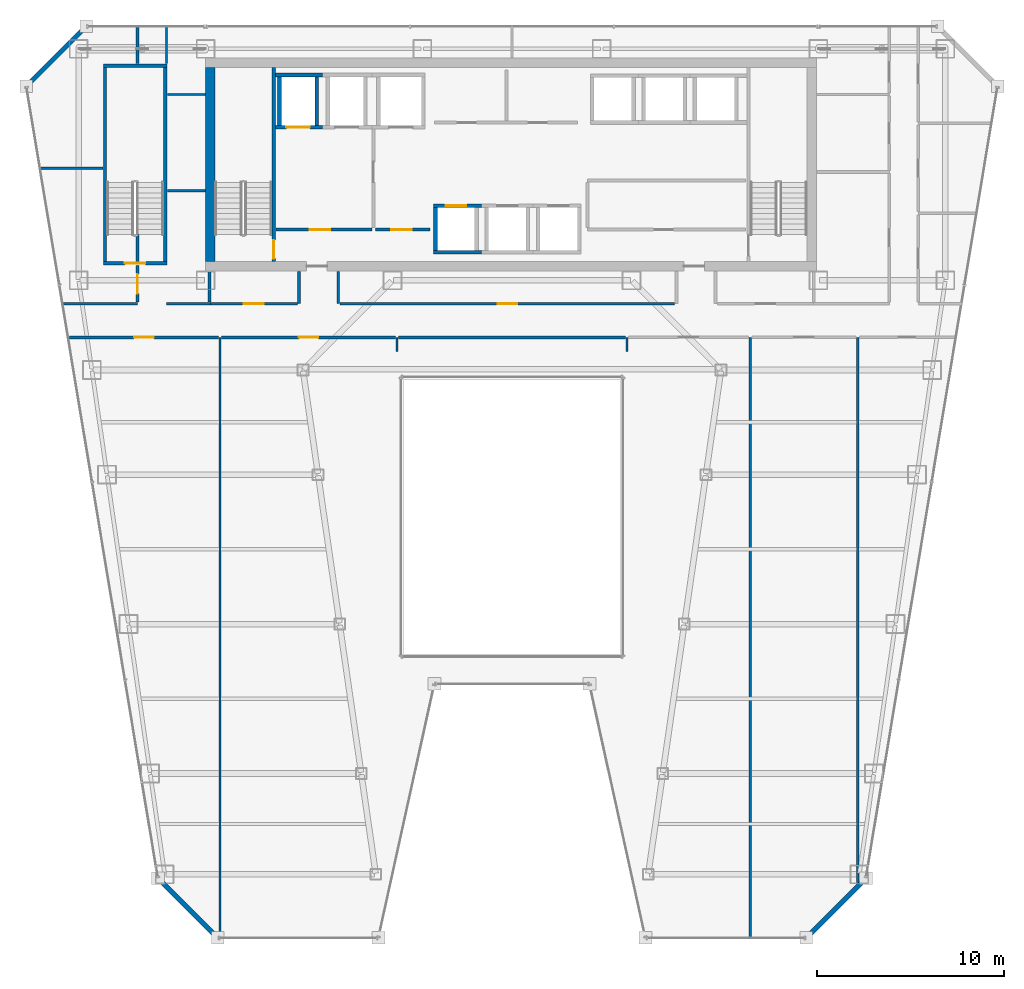
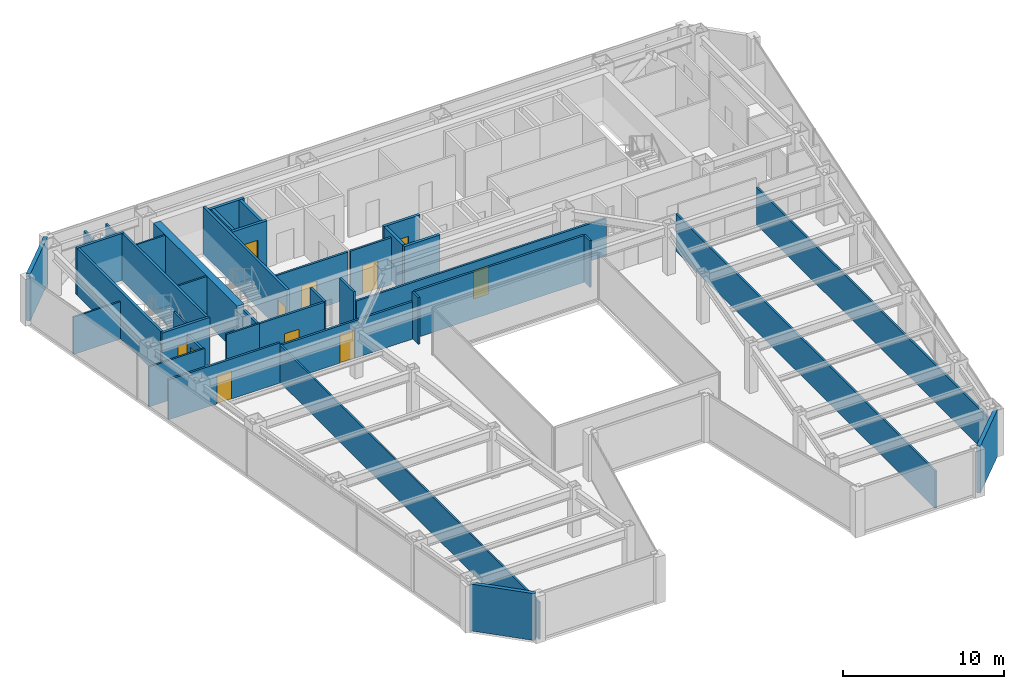
# One storey, part 31 of 36: 40 walls, 11 doors, 11 openings.
"""IFC4 building model written with IfcOpenShell, lengths in metres."""

import ifcopenshell
import ifcopenshell.guid

model = None  # the IFC model being written
_history = None  # IfcOwnerHistory: only IFC2X3 demands one
_inside = {}  # id of a spatial element -> (the spatial element, [elements in it])
_under = {}  # id of a project, library or spatial element -> (it, [spatial elements below it])
_declared = {}  # id of a project -> (the project, [libraries it declares])
_typed = {}  # id of a type object -> (the type object, [elements of that type])
_made_of = {}  # id of a material, layer set ... -> (it, [elements and type objects made of it])


def new_model(schema):
    """Start an empty IFC model of exactly this schema.

    Asked for "IFC4X3", IfcOpenShell would pick the latest addendum, in which some entities
    have other attributes; the version numbers below select the first issue.
    IFC2X3 requires an IfcOwnerHistory on every rooted entity: one is made here for all.
    """
    global model, _history
    if schema == "IFC4X3":
        model = ifcopenshell.file(schema_version=(4, 3, 0, 0))
    else:
        model = ifcopenshell.file(schema=schema)
    _inside.clear()
    _under.clear()
    _declared.clear()
    _typed.clear()
    _made_of.clear()
    _history = None
    if model.schema == "IFC2X3":
        org = make("IfcOrganization", Name="unknown")
        user = make(
            "IfcPersonAndOrganization",
            ThePerson=make("IfcPerson", FamilyName="unknown"),
            TheOrganization=org,
        )
        app = make(
            "IfcApplication",
            ApplicationDeveloper=org,
            Version="unknown",
            ApplicationFullName="unknown",
            ApplicationIdentifier="unknown",
        )
        _history = make(
            "IfcOwnerHistory",
            OwningUser=user,
            OwningApplication=app,
            ChangeAction="ADDED",
            CreationDate=0,
        )
    return model


def make(cls, **values):
    """One entity of the class cls with the attributes given. An attribute that is None is left unset."""
    return model.create_entity(
        cls, **{name: value for name, value in values.items() if value is not None}
    )


def rooted(cls, **values):
    """An entity with a GlobalId (a new one), such as an element, a storey or a relation."""
    return make(cls, GlobalId=ifcopenshell.guid.new(), OwnerHistory=_history, **values)


def si_unit(unit_type, name, prefix=None):
    """IfcSIUnit, for example si_unit("LENGTHUNIT", "METRE", prefix="MILLI")."""
    return make("IfcSIUnit", UnitType=unit_type, Prefix=prefix, Name=name)


def assignment(units):
    """IfcUnitAssignment: the units of a project."""
    return None if units is None else make("IfcUnitAssignment", Units=units)


def point(xyz):
    """IfcCartesianPoint."""
    return None if xyz is None else make("IfcCartesianPoint", Coordinates=xyz)


def direction(xyz):
    """IfcDirection."""
    return None if xyz is None else make("IfcDirection", DirectionRatios=xyz)


def frame(location, z_axis=None, x_axis=None):
    """IfcAxis2Placement3D, a coordinate frame: its origin and axes. An axis left out is left unset."""
    return make(
        "IfcAxis2Placement3D",
        Location=point(location),
        Axis=direction(z_axis),
        RefDirection=direction(x_axis),
    )


def frame_2d(location, x_axis=None):
    """IfcAxis2Placement2D, a coordinate frame in the plane: its origin and x axis."""
    return make(
        "IfcAxis2Placement2D", Location=point(location), RefDirection=direction(x_axis)
    )


def origin():
    """The frame at (0, 0, 0) with its axes left unset."""
    return frame((0.0, 0.0, 0.0))


def place(relative_to, where):
    """IfcLocalPlacement: puts the frame where relative to a parent placement (None: the world)."""
    return make(
        "IfcLocalPlacement", PlacementRelTo=relative_to, RelativePlacement=where
    )


def context(
    kind, dimensions, precision=None, world=None, true_north=None, identifier=None
):
    """IfcGeometricRepresentationContext, for example the 3D "Model" context."""
    return make(
        "IfcGeometricRepresentationContext",
        ContextIdentifier=identifier,
        ContextType=kind,
        CoordinateSpaceDimension=dimensions,
        Precision=precision,
        WorldCoordinateSystem=world,
        TrueNorth=true_north,
    )


def subcontext(parent, identifier, kind, view, scale=None):
    """IfcGeometricRepresentationSubContext, for example "Body" below "Model"."""
    return make(
        "IfcGeometricRepresentationSubContext",
        ContextIdentifier=identifier,
        ContextType=kind,
        ParentContext=parent,
        TargetScale=scale,
        TargetView=view,
    )


def project(units=None, contexts=None):
    """IfcProject with its units and contexts."""
    return rooted(
        "IfcProject",
        Name="project",
        RepresentationContexts=contexts,
        UnitsInContext=assignment(units),
    )


def spatial(cls, under=None, at=None, **own):
    """A site, building, storey or space (cls), placed at a placement, below another one or the project."""
    s = rooted(cls, ObjectPlacement=at, **own)
    if under is not None:
        _under.setdefault(under.id(), (under, []))[1].append(s)
    return s


def profile(cls, at=None, kind="AREA", **sizes):
    """A parametric profile (cls). Its sizes go by their IFC names, for example OverallWidth=200.0."""
    return make(cls, ProfileType=kind, Position=at, **sizes)


def rectangle(**sizes):
    """IfcRectangleProfileDef."""
    return profile("IfcRectangleProfileDef", **sizes)


def extrude(swept, where, along, depth):
    """IfcExtrudedAreaSolid: the profile swept, set in the frame where, extruded along a direction by depth."""
    return make(
        "IfcExtrudedAreaSolid",
        SweptArea=swept,
        Position=where,
        ExtrudedDirection=direction(along),
        Depth=depth,
    )


def shape(context_of_items, identifier, shape_type, items):
    """IfcShapeRepresentation: the items that make up one representation, for example the "Body"."""
    return make(
        "IfcShapeRepresentation",
        ContextOfItems=context_of_items,
        RepresentationIdentifier=identifier,
        RepresentationType=shape_type,
        Items=items,
    )


def material(Name=None, Category=None):
    """IfcMaterial."""
    return make("IfcMaterial", Name=Name, Category=Category)


def layer(
    of_material, thickness, ventilated=None, Name=None, Category=None, Priority=None
):
    """IfcMaterialLayer: one layer of a wall or slab, of a material (None: an air gap)."""
    return make(
        "IfcMaterialLayer",
        Material=of_material,
        LayerThickness=thickness,
        IsVentilated=ventilated,
        Name=Name,
        Category=Category,
        Priority=Priority,
    )


def layer_set(layers, Name=None):
    """IfcMaterialLayerSet."""
    return make("IfcMaterialLayerSet", MaterialLayers=layers, LayerSetName=Name)


def made_of(thing, what):
    """Note that an element or type object is made of a material, layer set ...; save() writes the relation."""
    if what is not None:
        _made_of.setdefault(what.id(), (what, []))[1].append(thing)
    return thing


def type_object(cls, material=None, **own):
    """A type object (cls), such as IfcWallType, which elements share."""
    return made_of(rooted(cls, **own), material)


def element(
    cls,
    number,
    at=None,
    inside=None,
    cuts=None,
    type_object=None,
    material=None,
    context=None,
    identifier="Body",
    shape_type=None,
    held_by="IfcProductDefinitionShape",
    body=None,
    shapes=None,
    **own,
):
    """One element of the class cls, such as IfcWall. Its Tag is "e" and its number.

    at: its placement. inside: the storey or other place that contains it. cuts: it is an
    opening in that element (IfcRelVoidsElement). A single representation is given by context,
    identifier, shape_type and body (its items); several are given by shapes. held_by: the class
    of the entity that holds the representations. save() writes the other relations.
    """
    e = rooted(cls, Tag="e%d" % number, ObjectPlacement=at, **own)
    if body is not None:
        shapes = [shape(context, identifier, shape_type, body)]
    if shapes is not None:
        e.Representation = make(held_by, Representations=shapes)
    if inside is not None:
        _inside.setdefault(inside.id(), (inside, []))[1].append(e)
    if cuts is not None:
        rooted(
            "IfcRelVoidsElement", RelatingBuildingElement=cuts, RelatedOpeningElement=e
        )
    if type_object is not None:
        _typed.setdefault(type_object.id(), (type_object, []))[1].append(e)
    return made_of(e, material)


def fill(opening, filler):
    """IfcRelFillsElement: the door or window that sits in an opening."""
    return rooted(
        "IfcRelFillsElement",
        RelatingOpeningElement=opening,
        RelatedBuildingElement=filler,
    )


def aggregate(whole, parts):
    """IfcRelAggregates: a whole, such as a stair, and the parts it consists of."""
    return rooted("IfcRelAggregates", RelatingObject=whole, RelatedObjects=parts)


def save(model, path):
    """Write the relations noted so far, then the file.

    IfcRelAggregates (storeys below a building ...), IfcRelContainedInSpatialStructure (elements
    in a storey), IfcRelDefinesByType, IfcRelAssociatesMaterial and IfcRelDeclares: one each for
    every whole, place, type object, material and project.
    """
    for whole, parts in _under.values():
        aggregate(whole, parts)
    for where, things in _inside.values():
        rooted(
            "IfcRelContainedInSpatialStructure",
            RelatedElements=things,
            RelatingStructure=where,
        )
    for kind, things in _typed.values():
        rooted("IfcRelDefinesByType", RelatedObjects=things, RelatingType=kind)
    for what, things in _made_of.values():
        rooted("IfcRelAssociatesMaterial", RelatedObjects=things, RelatingMaterial=what)
    for by, libraries in _declared.values():
        rooted("IfcRelDeclares", RelatingContext=by, RelatedDefinitions=libraries)
    model.write(path)


model = new_model("IFC4")

# Units and contexts
model_context = context("Model", 3, precision=1e-05, world=origin(), true_north=direction((0.0, 1.0)))
body_context = subcontext(model_context, "Body", "Model", "MODEL_VIEW")
ifc_project = project(units=[si_unit("LENGTHUNIT", "METRE"), si_unit("AREAUNIT", "SQUARE_METRE"), si_unit("VOLUMEUNIT", "CUBIC_METRE"), si_unit("PLANEANGLEUNIT", "RADIAN"), si_unit("MASSUNIT", "GRAM", prefix="KILO")], contexts=[model_context])

# Site, building, storey
site_placement = place(None, origin())
site = spatial("IfcSite", under=ifc_project, at=site_placement, CompositionType="ELEMENT")
building_placement = place(site_placement, origin())
building = spatial("IfcBuilding", under=site, at=building_placement, Name="Saevonmaru Cultural Tower", CompositionType="ELEMENT")
storey_placement = place(building_placement, frame((0.0, 0.0, 152.39990234375)))
storey = spatial("IfcBuildingStorey", under=building, at=storey_placement, Name="L33", CompositionType="ELEMENT", Elevation=152.39990234375)

# Wall
ifc_material_1 = material(Name="Concrete C60/75", Category="concrete")
ifc_layer_1 = layer(ifc_material_1, 0.5, Name="Concrete C60/75")
ifc_layer_set_1 = layer_set([ifc_layer_1], Name="Concrete C60/75")
wall_type_1 = type_object("IfcWallType", Name="WL-CORE-500", PredefinedType="SHEAR", material=ifc_layer_set_1)
wall_1_placement = place(storey_placement, frame((13.85009765625, 43.39990234375, 0.0), z_axis=(0.0, 0.0, 1.0), x_axis=(0.0, 1.0, 0.0)))
element("IfcWall", 1, at=wall_1_placement, inside=storey, type_object=wall_type_1, Name="L33 Tower RC core shear wall W", PredefinedType="SHEAR", context=body_context, shape_type="SweptSolid", body=[
    extrude(rectangle(XDim=10.400146484375, YDim=0.5, at=frame_2d((5.2001953125, 0.0))), origin(), (0.0, 0.0, 1.0), 3.550048828125),
])

# Wall, opening, door
ifc_material_2 = material(Name="Gypsum Fireboard Partition", Category="gypsum")
ifc_layer_2 = layer(ifc_material_2, 0.14990234375, Name="Gypsum Fireboard Partition")
ifc_layer_set_2 = layer_set([ifc_layer_2], Name="Gypsum Fireboard Partition")
wall_type_2 = type_object("IfcWallType", Name="WL-CORE-PART-150", PredefinedType="PARTITIONING", material=ifc_layer_set_2)
wall_2_placement = place(storey_placement, frame((17.360107421875, 45.1201171875, 0.0), z_axis=(0.0, 0.0, 1.0), x_axis=(1.0, 0.0, 0.0)))
wall_2 = element("IfcWall", 2, at=wall_2_placement, inside=storey, type_object=wall_type_2, Name="L33 Firefighting Lift Lobby South Wall", PredefinedType="PARTITIONING", context=body_context, shape_type="SweptSolid", body=[
    extrude(rectangle(XDim=5.139892578125, YDim=0.14990234375, at=frame_2d((2.56982421875, 0.0))), origin(), (0.0, 0.0, 1.0), 3.550048828125),
])
opening_1_placement = place(wall_2_placement, frame((1.800048828125, 0.0, 0.0)))
opening_1 = element("IfcOpeningElement", 3, at=opening_1_placement, cuts=wall_2, Name="Opening FD-2", PredefinedType="OPENING", context=body_context, shape_type="SweptSolid", body=[
    extrude(rectangle(XDim=1.10009765625, YDim=2.14990234375, at=frame_2d((0.550048828125, 1.074951171875))), frame((0.0, 0.0849609375, 0.0), z_axis=(0.0, -1.0, 0.0), x_axis=(1.0, 0.0, 0.0)), (0.0, 0.0, 1.0), 0.169921875),
])
ifc_material_3 = material(Name="Satin Bronze Anodised Aluminium", Category="aluminium")
door_type_1 = type_object("IfcDoorType", Name="DR-FD60-1100", OperationType="SINGLE_SWING_LEFT", PredefinedType="DOOR", material=ifc_material_3)
door_1_placement = place(opening_1_placement, origin())
door_1 = element("IfcDoor", 4, at=door_1_placement, inside=storey, type_object=door_type_1, Name="L33 Firefighting Lift Lobby South Door", OperationType="SINGLE_SWING_LEFT", OverallHeight=2.14990234375, OverallWidth=1.10009765625, PredefinedType="DOOR", context=body_context, shape_type="SweptSolid", body=[
    extrude(rectangle(XDim=1.10009765625, YDim=2.14990234375, at=frame_2d((0.550048828125, 1.074951171875))), frame((0.0, 0.02490234375, 0.0), z_axis=(0.0, -1.0, 0.0), x_axis=(1.0, 0.0, 0.0)), (0.0, 0.0, 1.0), 0.050048828125),
])
fill(opening_1, door_1)

wall_3_placement = place(storey_placement, frame((22.679931640625, 45.1201171875, 0.0), z_axis=(0.0, 0.0, 1.0), x_axis=(1.0, 0.0, 0.0)))
wall_3 = element("IfcWall", 5, at=wall_3_placement, inside=storey, type_object=wall_type_2, Name="L33 Service Lift Vestibule Wall", PredefinedType="PARTITIONING", context=body_context, shape_type="SweptSolid", body=[
    extrude(rectangle(XDim=2.920166015625, YDim=0.14990234375, at=frame_2d((1.4599609375, 0.0))), origin(), (0.0, 0.0, 1.0), 3.550048828125),
])
opening_2_placement = place(wall_3_placement, frame((0.85009765625, 0.0, 0.0)))
opening_2 = element("IfcOpeningElement", 6, at=opening_2_placement, cuts=wall_3, Name="Opening FD-2", PredefinedType="OPENING", context=body_context, shape_type="SweptSolid", body=[
    extrude(rectangle(XDim=1.10009765625, YDim=2.14990234375, at=frame_2d((0.550048828125, 1.074951171875))), frame((0.0, 0.0849609375, 0.0), z_axis=(0.0, -1.0, 0.0), x_axis=(1.0, 0.0, 0.0)), (0.0, 0.0, 1.0), 0.169921875),
])
door_2_placement = place(opening_2_placement, origin())
door_2 = element("IfcDoor", 7, at=door_2_placement, inside=storey, type_object=door_type_1, Name="L33 Service Lift Vestibule Door", OperationType="SINGLE_SWING_LEFT", OverallHeight=2.14990234375, OverallWidth=1.10009765625, PredefinedType="DOOR", context=body_context, shape_type="SweptSolid", body=[
    extrude(rectangle(XDim=1.10009765625, YDim=2.14990234375, at=frame_2d((0.550048828125, 1.074951171875))), frame((0.0, 0.02490234375, 0.0), z_axis=(0.0, -1.0, 0.0), x_axis=(1.0, 0.0, 0.0)), (0.0, 0.0, 1.0), 0.050048828125),
])
fill(opening_2, door_2)

# Walls
ifc_material_4 = material(Name="Granite-Clad Precast Concrete C40/50", Category="masonry")
ifc_layer_3 = layer(ifc_material_4, 0.260009765625, Name="Granite-Clad Precast Concrete C40/50")
ifc_layer_set_3 = layer_set([ifc_layer_3], Name="Granite-Clad Precast Concrete C40/50")
wall_type_3 = type_object("IfcWallType", Name="WL-EXT-SPANDREL-260", PredefinedType="STANDARD", material=ifc_layer_set_3)
for number, where, z_axis, x_axis, name in (
    (8, (11.162109375, 10.286865234375, 0.0), (0.0, 0.0, 1.0), (0.70707775441, -0.707135806771, 0.0), "L33 Chamfer Corner Spandrel Wall E1"),
    (9, (45.8642578125, 7.31298828125, 0.0), (0.0, 0.0, 1.0), (0.70707775441, 0.707135806771, 0.0), "L33 Chamfer Corner Spandrel Wall E7"),
):
    element("IfcWall", number, at=place(storey_placement, frame(where, z_axis=z_axis, x_axis=x_axis)), inside=storey, type_object=wall_type_3, Name=name, PredefinedType="STANDARD", context=body_context, shape_type="SweptSolid", body=[
        extrude(rectangle(XDim=4.20556640625, YDim=0.260009765625, at=frame_2d((2.102783203125, 0.0))), origin(), (0.0, 0.0, 1.0), 3.550048828125),
    ])
wall_4_placement = place(storey_placement, frame((7.0869140625, 55.886962890625, 0.0), z_axis=(0.0, 0.0, 1.0), x_axis=(-0.707106781187, -0.707106781187, 0.0)))
element("IfcWall", 10, at=wall_4_placement, inside=storey, type_object=wall_type_3, Name="L33 Chamfer Corner Spandrel Wall E11", PredefinedType="STANDARD", context=body_context, shape_type="SweptSolid", body=[
    extrude(rectangle(XDim=4.205810546875, YDim=0.260009765625, at=frame_2d((2.10302734375, 0.0))), origin(), (0.0, 0.0, 1.0), 3.550048828125),
])

# Wall, opening, door
ifc_layer_4 = layer(ifc_material_2, 0.14990234375, Name="Gypsum Fireboard Partition")
ifc_layer_set_4 = layer_set([ifc_layer_4], Name="Gypsum Fireboard Partition")
wall_type_4 = type_object("IfcWallType", Name="WL-PART-FIRE-150", PredefinedType="PARTITIONING", material=ifc_layer_set_4)
wall_5_placement = place(storey_placement, frame((9.949951171875, 41.22998046875, 0.0), z_axis=(0.0, 0.0, 1.0), x_axis=(0.0, 1.0, 0.0)))
wall_5 = element("IfcWall", 11, at=wall_5_placement, inside=storey, type_object=wall_type_4, Name="L33 Sky Observatory Gallery Corridor Wall", PredefinedType="PARTITIONING", context=body_context, shape_type="SweptSolid", body=[
    extrude(rectangle(XDim=1.969970703125, YDim=0.14990234375, at=frame_2d((0.98486328125, 0.0))), origin(), (0.0, 0.0, 1.0), 2.835205078125),
])
opening_3_placement = place(wall_5_placement, frame((0.4599609375, 0.0, 0.0)))
opening_3 = element("IfcOpeningElement", 12, at=opening_3_placement, cuts=wall_5, Name="Opening ID-1", PredefinedType="OPENING", context=body_context, shape_type="SweptSolid", body=[
    extrude(rectangle(XDim=1.050048828125, YDim=2.14990234375, at=frame_2d((0.52490234375, 1.074951171875))), frame((0.0, 0.0849609375, 0.0), z_axis=(0.0, -1.0, 0.0), x_axis=(1.0, 0.0, 0.0)), (0.0, 0.0, 1.0), 0.169921875),
])
door_type_2 = type_object("IfcDoorType", Name="DR-INT-1050", OperationType="SINGLE_SWING_LEFT", PredefinedType="DOOR", material=ifc_material_3)
door_3_placement = place(opening_3_placement, origin())
door_3 = element("IfcDoor", 13, at=door_3_placement, inside=storey, type_object=door_type_2, Name="L33 Sky Observatory Gallery Door", OperationType="SINGLE_SWING_LEFT", OverallHeight=2.14990234375, OverallWidth=1.050048828125, PredefinedType="DOOR", context=body_context, shape_type="SweptSolid", body=[
    extrude(rectangle(XDim=1.050048828125, YDim=2.14990234375, at=frame_2d((0.52490234375, 1.074951171875))), frame((0.0, 0.02490234375, 0.0), z_axis=(0.0, -1.0, 0.0), x_axis=(1.0, 0.0, 0.0)), (0.0, 0.0, 1.0), 0.050048828125),
])
fill(opening_3, door_3)

# Walls
wall_6_placement = place(storey_placement, frame((9.949951171875, 43.419921875, 0.0), z_axis=(0.0, 0.0, 1.0), x_axis=(0.0, 1.0, 0.0)))
element("IfcWall", 14, at=wall_6_placement, inside=storey, type_object=wall_type_4, Name="L33 Sky Observatory Gallery Corridor Wall (2)", PredefinedType="PARTITIONING", context=body_context, shape_type="SweptSolid", body=[
    extrude(rectangle(XDim=1.4501953125, YDim=0.14990234375, at=frame_2d((0.72509765625, 0.0))), origin(), (0.0, 0.0, 1.0), 3.550048828125),
])
wall_7_placement = place(storey_placement, frame((9.949951171875, 54.0, 0.0), z_axis=(0.0, 0.0, 1.0), x_axis=(0.0, 1.0, 0.0)))
element("IfcWall", 15, at=wall_7_placement, inside=storey, type_object=wall_type_4, Name="L33 Skyline Exhibition Gallery Corridor Wall", PredefinedType="PARTITIONING", context=body_context, shape_type="SweptSolid", body=[
    extrude(rectangle(XDim=1.9951171875, YDim=0.14990234375, at=frame_2d((0.99755859375, 0.0))), origin(), (0.0, 0.0, 1.0), 2.93505859375),
])
wall_8_placement = place(storey_placement, frame((13.800048828125, 41.22998046875, 0.0), z_axis=(0.0, 0.0, 1.0), x_axis=(0.0, 1.0, 0.0)))
element("IfcWall", 16, at=wall_8_placement, inside=storey, type_object=wall_type_4, Name="L33 Core Portal Side Wall W0", PredefinedType="PARTITIONING", context=body_context, shape_type="SweptSolid", body=[
    extrude(rectangle(XDim=1.64990234375, YDim=0.14990234375, at=frame_2d((0.824951171875, 0.0))), origin(), (0.0, 0.0, 1.0), 3.550048828125),
])
for number, where, z_axis, x_axis, name in (
    (17, (18.60009765625, 41.14990234375, 0.0), (0.0, 0.0, 1.0), (0.0, 1.0, 0.0), "L33 Core Portal Side Wall W1"),
    (18, (20.699951171875, 41.14990234375, 0.0), (0.0, 0.0, 1.0), (0.0, 1.0, 0.0), "L33 Core Portal Side Wall W2"),
):
    element("IfcWall", number, at=place(storey_placement, frame(where, z_axis=z_axis, x_axis=x_axis)), inside=storey, type_object=wall_type_4, Name=name, PredefinedType="PARTITIONING", context=body_context, shape_type="SweptSolid", body=[
        extrude(rectangle(XDim=1.72998046875, YDim=0.14990234375, at=frame_2d((0.864990234375, 0.0))), origin(), (0.0, 0.0, 1.0), 3.550048828125),
    ])

# Wall, opening, door
wall_9_placement = place(storey_placement, frame((13.85009765625, 41.14990234375, 0.0), z_axis=(0.0, 0.0, 1.0), x_axis=(1.0, 0.0, 0.0)))
wall_9 = element("IfcWall", 19, at=wall_9_placement, inside=storey, type_object=wall_type_4, Name="L33 Sky Observatory Gallery Corridor Wall", PredefinedType="PARTITIONING", context=body_context, shape_type="SweptSolid", body=[
    extrude(rectangle(XDim=4.65478515625, YDim=0.14990234375, at=frame_2d((2.327392578125, 0.0))), origin(), (0.0, 0.0, 1.0), 3.550048828125),
])
opening_4_placement = place(wall_9_placement, frame((1.802001953125, 0.0, 0.0)))
opening_4 = element("IfcOpeningElement", 20, at=opening_4_placement, cuts=wall_9, Name="Opening ID-1", PredefinedType="OPENING", context=body_context, shape_type="SweptSolid", body=[
    extrude(rectangle(XDim=1.050048828125, YDim=2.14990234375, at=frame_2d((0.52490234375, 1.074951171875))), frame((0.0, 0.0849609375, 0.0), z_axis=(0.0, -1.0, 0.0), x_axis=(1.0, 0.0, 0.0)), (0.0, 0.0, 1.0), 0.169921875),
])
door_4_placement = place(opening_4_placement, origin())
door_4 = element("IfcDoor", 21, at=door_4_placement, inside=storey, type_object=door_type_2, Name="L33 Sky Observatory Gallery Door", OperationType="SINGLE_SWING_LEFT", OverallHeight=2.14990234375, OverallWidth=1.050048828125, PredefinedType="DOOR", context=body_context, shape_type="SweptSolid", body=[
    extrude(rectangle(XDim=1.050048828125, YDim=2.14990234375, at=frame_2d((0.52490234375, 1.074951171875))), frame((0.0, 0.02490234375, 0.0), z_axis=(0.0, -1.0, 0.0), x_axis=(1.0, 0.0, 0.0)), (0.0, 0.0, 1.0), 0.050048828125),
])
fill(opening_4, door_4)

wall_10_placement = place(storey_placement, frame((20.794921875, 41.14990234375, 0.0), z_axis=(0.0, 0.0, 1.0), x_axis=(1.0, 0.0, 0.0)))
wall_10 = element("IfcWall", 22, at=wall_10_placement, inside=storey, type_object=wall_type_4, Name="L33 Skyline Exhibition Gallery Corridor Wall", PredefinedType="PARTITIONING", context=body_context, shape_type="SweptSolid", body=[
    extrude(rectangle(XDim=17.91015625, YDim=0.14990234375, at=frame_2d((8.955078125, 0.0))), origin(), (0.0, 0.0, 1.0), 2.835205078125),
])
opening_5_placement = place(wall_10_placement, frame((8.429931640625, 0.0, 0.0)))
opening_5 = element("IfcOpeningElement", 23, at=opening_5_placement, cuts=wall_10, Name="Opening ID-1", PredefinedType="OPENING", context=body_context, shape_type="SweptSolid", body=[
    extrude(rectangle(XDim=1.050048828125, YDim=2.14990234375, at=frame_2d((0.52490234375, 1.074951171875))), frame((0.0, 0.0849609375, 0.0), z_axis=(0.0, -1.0, 0.0), x_axis=(1.0, 0.0, 0.0)), (0.0, 0.0, 1.0), 0.169921875),
])
door_5_placement = place(opening_5_placement, origin())
door_5 = element("IfcDoor", 24, at=door_5_placement, inside=storey, type_object=door_type_2, Name="L33 Skyline Exhibition Gallery Door", OperationType="SINGLE_SWING_RIGHT", OverallHeight=2.14990234375, OverallWidth=1.050048828125, PredefinedType="DOOR", context=body_context, shape_type="SweptSolid", body=[
    extrude(rectangle(XDim=1.050048828125, YDim=2.14990234375, at=frame_2d((0.52490234375, 1.074951171875))), frame((0.0, 0.02490234375, 0.0), z_axis=(0.0, -1.0, 0.0), x_axis=(1.0, 0.0, 0.0)), (0.0, 0.0, 1.0), 0.050048828125),
])
fill(opening_5, door_5)

wall_11_placement = place(storey_placement, frame((6.304931640625, 39.35009765625, 0.0), z_axis=(0.0, 0.0, 1.0), x_axis=(1.0, 0.0, 0.0)))
wall_11 = element("IfcWall", 25, at=wall_11_placement, inside=storey, type_object=wall_type_4, Name="L33 Sky Observatory Gallery Corridor Wall", PredefinedType="PARTITIONING", context=body_context, shape_type="SweptSolid", body=[
    extrude(rectangle(XDim=7.985107421875, YDim=0.14990234375, at=frame_2d((3.99267578125, 0.0))), origin(), (0.0, 0.0, 1.0), 3.03515625),
])
opening_6_placement = place(wall_11_placement, frame((3.467041015625, 0.0, 0.0)))
opening_6 = element("IfcOpeningElement", 26, at=opening_6_placement, cuts=wall_11, Name="Opening ID-1", PredefinedType="OPENING", context=body_context, shape_type="SweptSolid", body=[
    extrude(rectangle(XDim=1.050048828125, YDim=2.14990234375, at=frame_2d((0.52490234375, 1.074951171875))), frame((0.0, 0.0849609375, 0.0), z_axis=(0.0, -1.0, 0.0), x_axis=(1.0, 0.0, 0.0)), (0.0, 0.0, 1.0), 0.169921875),
])
door_6_placement = place(opening_6_placement, origin())
door_6 = element("IfcDoor", 27, at=door_6_placement, inside=storey, type_object=door_type_2, Name="L33 Sky Observatory Gallery Door", OperationType="SINGLE_SWING_RIGHT", OverallHeight=2.14990234375, OverallWidth=1.050048828125, PredefinedType="DOOR", context=body_context, shape_type="SweptSolid", body=[
    extrude(rectangle(XDim=1.050048828125, YDim=2.14990234375, at=frame_2d((0.52490234375, 1.074951171875))), frame((0.0, 0.02490234375, 0.0), z_axis=(0.0, -1.0, 0.0), x_axis=(1.0, 0.0, 0.0)), (0.0, 0.0, 1.0), 0.050048828125),
])
fill(opening_6, door_6)

wall_12_placement = place(storey_placement, frame((14.449951171875, 39.35009765625, 0.0), z_axis=(0.0, 0.0, 1.0), x_axis=(1.0, 0.0, 0.0)))
wall_12 = element("IfcWall", 28, at=wall_12_placement, inside=storey, type_object=wall_type_4, Name="L33 Skyline Exhibition Gallery Corridor Wall", PredefinedType="PARTITIONING", context=body_context, shape_type="SweptSolid", body=[
    extrude(rectangle(XDim=9.320068359375, YDim=0.14990234375, at=frame_2d((4.66015625, 0.0))), origin(), (0.0, 0.0, 1.0), 2.835205078125),
])
opening_7_placement = place(wall_12_placement, frame((4.135009765625, 0.0, 0.0)))
opening_7 = element("IfcOpeningElement", 29, at=opening_7_placement, cuts=wall_12, Name="Opening ID-1", PredefinedType="OPENING", context=body_context, shape_type="SweptSolid", body=[
    extrude(rectangle(XDim=1.050048828125, YDim=2.14990234375, at=frame_2d((0.52490234375, 1.074951171875))), frame((0.0, 0.0849609375, 0.0), z_axis=(0.0, -1.0, 0.0), x_axis=(1.0, 0.0, 0.0)), (0.0, 0.0, 1.0), 0.169921875),
])
door_7_placement = place(opening_7_placement, origin())
door_7 = element("IfcDoor", 30, at=door_7_placement, inside=storey, type_object=door_type_2, Name="L33 Skyline Exhibition Gallery Door", OperationType="SINGLE_SWING_LEFT", OverallHeight=2.14990234375, OverallWidth=1.050048828125, PredefinedType="DOOR", context=body_context, shape_type="SweptSolid", body=[
    extrude(rectangle(XDim=1.050048828125, YDim=2.14990234375, at=frame_2d((0.52490234375, 1.074951171875))), frame((0.0, 0.02490234375, 0.0), z_axis=(0.0, -1.0, 0.0), x_axis=(1.0, 0.0, 0.0)), (0.0, 0.0, 1.0), 0.050048828125),
])
fill(opening_7, door_7)

# Walls
wall_13_placement = place(storey_placement, frame((23.929931640625, 39.35009765625, 0.0), z_axis=(0.0, 0.0, 1.0), x_axis=(1.0, 0.0, 0.0)))
element("IfcWall", 31, at=wall_13_placement, inside=storey, type_object=wall_type_4, Name="L33 North Atrium Corridor Wall", PredefinedType="PARTITIONING", context=body_context, shape_type="SweptSolid", body=[
    extrude(rectangle(XDim=12.14013671875, YDim=0.14990234375, at=frame_2d((6.070068359375, 0.0))), origin(), (0.0, 0.0, 1.0), 3.550048828125),
])
ifc_layer_5 = layer(ifc_material_2, 0.1201171875, Name="Gypsum Fireboard Partition")
ifc_layer_set_5 = layer_set([ifc_layer_5], Name="Gypsum Fireboard Partition")
wall_type_5 = type_object("IfcWallType", Name="WL-PART-GYP-120", PredefinedType="PARTITIONING", material=ifc_layer_set_5)
wall_14_placement = place(storey_placement, frame((5.94189453125, 41.14990234375, 0.0), z_axis=(0.0, 0.0, 1.0), x_axis=(1.0, 0.0, 0.0)))
element("IfcWall", 32, at=wall_14_placement, inside=storey, type_object=wall_type_5, Name="L33 NW Wing South Wall", PredefinedType="PARTITIONING", context=body_context, shape_type="SweptSolid", body=[
    extrude(rectangle(XDim=4.008056640625, YDim=0.1201171875, at=frame_2d((2.00390625, 0.0))), origin(), (0.0, 0.0, 1.0), 3.03515625),
])
wall_15_placement = place(storey_placement, frame((11.5, 41.14990234375, 0.0), z_axis=(0.0, 0.0, 1.0), x_axis=(1.0, 0.0, 0.0)))
element("IfcWall", 33, at=wall_15_placement, inside=storey, type_object=wall_type_5, Name="L33 NW Inner South Wall", PredefinedType="PARTITIONING", context=body_context, shape_type="SweptSolid", body=[
    extrude(rectangle(XDim=2.35009765625, YDim=0.1201171875, at=frame_2d((1.175048828125, 0.0))), origin(), (0.0, 0.0, 1.0), 3.550048828125),
])
wall_16_placement = place(storey_placement, frame((11.550048828125, 52.35009765625, 0.0), z_axis=(0.0, 0.0, 1.0), x_axis=(1.0, 0.0, 0.0)))
element("IfcWall", 34, at=wall_16_placement, inside=storey, type_object=wall_type_5, Name="L33 North-West Panorama South Wall", PredefinedType="PARTITIONING", context=body_context, shape_type="SweptSolid", body=[
    extrude(rectangle(XDim=2.030029296875, YDim=0.1201171875, at=frame_2d((1.01513671875, 0.0))), origin(), (0.0, 0.0, 1.0), 3.550048828125),
])
wall_17_placement = place(storey_placement, frame((11.5, 54.0, 0.0), z_axis=(0.0, 0.0, 1.0), x_axis=(0.0, 1.0, 0.0)))
element("IfcWall", 35, at=wall_17_placement, inside=storey, type_object=wall_type_5, Name="L33 Rare Manuscript Reading Room Corridor Wall", PredefinedType="PARTITIONING", context=body_context, shape_type="SweptSolid", body=[
    extrude(rectangle(XDim=1.9951171875, YDim=0.1201171875, at=frame_2d((0.99755859375, 0.0))), origin(), (0.0, 0.0, 1.0), 2.93505859375),
])
wall_18_placement = place(storey_placement, frame((4.736572265625, 48.39990234375, 0.0), z_axis=(0.0, 0.0, 1.0), x_axis=(1.0, 0.0, 0.0)))
element("IfcWall", 36, at=wall_18_placement, inside=storey, type_object=wall_type_5, Name="L33 NW Studio Divider 1", PredefinedType="PARTITIONING", context=body_context, shape_type="SweptSolid", body=[
    extrude(rectangle(XDim=3.363525390625, YDim=0.1201171875, at=frame_2d((1.681640625, 0.0))), origin(), (0.0, 0.0, 1.0), 2.835205078125),
])
wall_19_placement = place(storey_placement, frame((11.550048828125, 47.199951171875, 0.0), z_axis=(0.0, 0.0, 1.0), x_axis=(1.0, 0.0, 0.0)))
element("IfcWall", 37, at=wall_19_placement, inside=storey, type_object=wall_type_5, Name="L33 NW Inner Divider", PredefinedType="PARTITIONING", context=body_context, shape_type="SweptSolid", body=[
    extrude(rectangle(XDim=2.030029296875, YDim=0.1201171875, at=frame_2d((1.01513671875, 0.0))), origin(), (0.0, 0.0, 1.0), 3.550048828125),
])
wall_20_placement = place(storey_placement, frame((14.3701171875, 7.205078125, 0.0), z_axis=(0.0, 0.0, 1.0), x_axis=(0.0, 1.0, 0.0)))
element("IfcWall", 38, at=wall_20_placement, inside=storey, type_object=wall_type_5, Name="L33 West Bay Divider 1", PredefinedType="PARTITIONING", context=body_context, shape_type="SweptSolid", body=[
    extrude(rectangle(XDim=32.14501953125, YDim=0.1201171875, at=frame_2d((16.072509765625, 0.0))), origin(), (0.0, 0.0, 1.0), 2.835205078125),
])
for number, where, z_axis, x_axis, name in (
    (39, (23.85009765625, 38.60009765625, 0.0), (0.0, 0.0, 1.0), (0.0, 1.0, 0.0), "L33 North Atrium West Wall"),
    (40, (36.14990234375, 38.60009765625, 0.0), (0.0, 0.0, 1.0), (0.0, 1.0, 0.0), "L33 North Atrium East Wall"),
):
    element("IfcWall", number, at=place(storey_placement, frame(where, z_axis=z_axis, x_axis=x_axis)), inside=storey, type_object=wall_type_5, Name=name, PredefinedType="PARTITIONING", context=body_context, shape_type="SweptSolid", body=[
        extrude(rectangle(XDim=0.75, YDim=0.1201171875, at=frame_2d((0.375, 0.0))), origin(), (0.0, 0.0, 1.0), 3.550048828125),
    ])
ifc_layer_6 = layer(ifc_material_2, 0.135009765625, Name="Gypsum Fireboard Partition")
ifc_layer_set_6 = layer_set([ifc_layer_6], Name="Gypsum Fireboard Partition")
wall_type_6 = type_object("IfcWallType", Name="WL-PART-GYP-135", PredefinedType="PARTITIONING", material=ifc_layer_set_6)
wall_21_placement = place(storey_placement, frame((42.760009765625, 7.205078125, 0.0), z_axis=(0.0, 0.0, 1.0), x_axis=(0.0, 1.0, 0.0)))
element("IfcWall", 41, at=wall_21_placement, inside=storey, type_object=wall_type_6, Name="L33 East Bay Divider 1", PredefinedType="PARTITIONING", context=body_context, shape_type="SweptSolid", body=[
    extrude(rectangle(XDim=32.14501953125, YDim=0.135009765625, at=frame_2d((16.072509765625, 0.0))), origin(), (0.0, 0.0, 1.0), 2.835205078125),
])
wall_22_placement = place(storey_placement, frame((48.510009765625, 10.1708984375, 0.0), z_axis=(0.0, 0.0, 1.0), x_axis=(0.0, 1.0, 0.0)))
element("IfcWall", 42, at=wall_22_placement, inside=storey, type_object=wall_type_6, Name="L33 East Bay Divider 2", PredefinedType="PARTITIONING", context=body_context, shape_type="SweptSolid", body=[
    extrude(rectangle(XDim=29.17919921875, YDim=0.135009765625, at=frame_2d((14.589599609375, 0.0))), origin(), (0.0, 0.0, 1.0), 2.835205078125),
])

# Wall, opening, door
ifc_material_5 = material(Name="Concrete C40/50", Category="concrete")
ifc_layer_7 = layer(ifc_material_5, 0.199951171875, Name="Concrete C40/50")
ifc_layer_set_7 = layer_set([ifc_layer_7], Name="Concrete C40/50")
wall_type_7 = type_object("IfcWallType", Name="WL-SHAFT-200", PredefinedType="SHEAR", material=ifc_layer_set_7)
wall_23_placement = place(storey_placement, frame((17.330078125, 50.60009765625, 0.0), z_axis=(0.0, 0.0, 1.0), x_axis=(1.0, 0.0, 0.0)))
wall_23 = element("IfcWall", 43, at=wall_23_placement, inside=storey, type_object=wall_type_7, Name="L33 Lift FFL-1 Hoistway Wall S", PredefinedType="SHEAR", context=body_context, shape_type="SweptSolid", body=[
    extrude(rectangle(XDim=2.52001953125, YDim=0.199951171875, at=frame_2d((1.260009765625, 0.0))), origin(), (0.0, 0.0, 1.0), 3.550048828125),
])
opening_8_placement = place(wall_23_placement, frame((0.594970703125, 0.0, 0.0)))
opening_8 = element("IfcOpeningElement", 44, at=opening_8_placement, cuts=wall_23, Name="Opening LD-2", PredefinedType="OPENING", context=body_context, shape_type="SweptSolid", body=[
    extrude(rectangle(XDim=1.25, YDim=2.300048828125, at=frame_2d((0.625, 1.14990234375))), frame((0.0, 0.10986328125, 0.0), z_axis=(0.0, -1.0, 0.0), x_axis=(1.0, 0.0, 0.0)), (0.0, 0.0, 1.0), 0.219970703125),
])
ifc_material_6 = material(Name="Stainless Steel 316", Category="steel")
door_type_3 = type_object("IfcDoorType", Name="DR-LIFT-1250", OperationType="SLIDING_TO_LEFT", PredefinedType="DOOR", material=ifc_material_6)
door_8_placement = place(opening_8_placement, origin())
door_8 = element("IfcDoor", 45, at=door_8_placement, inside=storey, type_object=door_type_3, Name="L33 Lift FFL-1 Sliding Landing Door", OperationType="SLIDING_TO_LEFT", OverallHeight=2.300048828125, OverallWidth=1.25, PredefinedType="DOOR", context=body_context, shape_type="SweptSolid", body=[
    extrude(rectangle(XDim=1.25, YDim=2.300048828125, at=frame_2d((0.625, 1.14990234375))), frame((0.0, 0.02490234375, 0.0), z_axis=(0.0, -1.0, 0.0), x_axis=(1.0, 0.0, 0.0)), (0.0, 0.0, 1.0), 0.050048828125),
])
fill(opening_8, door_8)

# Walls
wall_24_placement = place(storey_placement, frame((17.330078125, 53.39990234375, 0.0), z_axis=(0.0, 0.0, 1.0), x_axis=(1.0, 0.0, 0.0)))
element("IfcWall", 46, at=wall_24_placement, inside=storey, type_object=wall_type_7, Name="L33 Lift FFL-1 Hoistway Wall N", PredefinedType="SHEAR", context=body_context, shape_type="SweptSolid", body=[
    extrude(rectangle(XDim=2.52001953125, YDim=0.199951171875, at=frame_2d((1.260009765625, 0.0))), origin(), (0.0, 0.0, 1.0), 3.550048828125),
])
for number, where, z_axis, x_axis, name in (
    (47, (17.550048828125, 50.699951171875, 0.0), (0.0, 0.0, 1.0), (0.0, 1.0, 0.0), "L33 Lift FFL-1 Hoistway Wall W"),
    (48, (19.550048828125, 50.699951171875, 0.0), (0.0, 0.0, 1.0), (0.0, 1.0, 0.0), "L33 Lift FFL-1 Hoistway Wall E"),
):
    element("IfcWall", number, at=place(storey_placement, frame(where, z_axis=z_axis, x_axis=x_axis)), inside=storey, type_object=wall_type_7, Name=name, PredefinedType="SHEAR", context=body_context, shape_type="SweptSolid", body=[
        extrude(rectangle(XDim=2.60009765625, YDim=0.199951171875, at=frame_2d((1.300048828125, 0.0))), origin(), (0.0, 0.0, 1.0), 3.550048828125),
    ])
wall_25_placement = place(storey_placement, frame((25.800048828125, 43.89990234375, 0.0), z_axis=(0.0, 0.0, 1.0), x_axis=(1.0, 0.0, 0.0)))
element("IfcWall", 49, at=wall_25_placement, inside=storey, type_object=wall_type_7, Name="L33 Lift PL-M1 Hoistway Wall S", PredefinedType="SHEAR", context=body_context, shape_type="SweptSolid", body=[
    extrude(rectangle(XDim=2.574951171875, YDim=0.199951171875, at=frame_2d((1.28759765625, 0.0))), origin(), (0.0, 0.0, 1.0), 3.550048828125),
])

# Wall, opening, door
wall_26_placement = place(storey_placement, frame((25.800048828125, 46.39990234375, 0.0), z_axis=(0.0, 0.0, 1.0), x_axis=(1.0, 0.0, 0.0)))
wall_26 = element("IfcWall", 50, at=wall_26_placement, inside=storey, type_object=wall_type_7, Name="L33 Lift PL-M1 Hoistway Wall N", PredefinedType="SHEAR", context=body_context, shape_type="SweptSolid", body=[
    extrude(rectangle(XDim=2.574951171875, YDim=0.199951171875, at=frame_2d((1.28759765625, 0.0))), origin(), (0.0, 0.0, 1.0), 3.550048828125),
])
opening_9_placement = place(wall_26_placement, frame((0.64990234375, 0.0, 0.0)))
opening_9 = element("IfcOpeningElement", 51, at=opening_9_placement, cuts=wall_26, Name="Opening LD-1", PredefinedType="OPENING", context=body_context, shape_type="SweptSolid", body=[
    extrude(rectangle(XDim=1.10009765625, YDim=2.199951171875, at=frame_2d((0.550048828125, 1.10009765625))), frame((0.0, 0.10986328125, 0.0), z_axis=(0.0, -1.0, 0.0), x_axis=(1.0, 0.0, 0.0)), (0.0, 0.0, 1.0), 0.219970703125),
])
ifc_material_7 = material(Name="Satin Bronze Stainless Steel", Category="steel")
door_type_4 = type_object("IfcDoorType", Name="DR-LIFT-1100", OperationType="SLIDING_TO_LEFT", PredefinedType="DOOR", material=ifc_material_7)
door_9_placement = place(opening_9_placement, origin())
door_9 = element("IfcDoor", 52, at=door_9_placement, inside=storey, type_object=door_type_4, Name="L33 Lift PL-M1 Sliding Landing Door", OperationType="SLIDING_TO_LEFT", OverallHeight=2.199951171875, OverallWidth=1.10009765625, PredefinedType="DOOR", context=body_context, shape_type="SweptSolid", body=[
    extrude(rectangle(XDim=1.10009765625, YDim=2.199951171875, at=frame_2d((0.550048828125, 1.10009765625))), frame((0.0, 0.02490234375, 0.0), z_axis=(0.0, -1.0, 0.0), x_axis=(1.0, 0.0, 0.0)), (0.0, 0.0, 1.0), 0.050048828125),
])
fill(opening_9, door_9)

# Wall
wall_27_placement = place(storey_placement, frame((25.89990234375, 44.0, 0.0), z_axis=(0.0, 0.0, 1.0), x_axis=(0.0, 1.0, 0.0)))
element("IfcWall", 53, at=wall_27_placement, inside=storey, type_object=wall_type_7, Name="L33 Lift PL-M1 Hoistway Wall W", PredefinedType="SHEAR", context=body_context, shape_type="SweptSolid", body=[
    extrude(rectangle(XDim=2.300048828125, YDim=0.199951171875, at=frame_2d((1.14990234375, 0.0))), origin(), (0.0, 0.0, 1.0), 3.550048828125),
])

# Wall, opening, door
ifc_layer_8 = layer(ifc_material_5, 0.179931640625, Name="Concrete C40/50")
ifc_layer_set_8 = layer_set([ifc_layer_8], Name="Concrete C40/50")
wall_type_8 = type_object("IfcWallType", Name="WL-STSHAFT-180", PredefinedType="SHEAR", material=ifc_layer_set_8)
wall_28_placement = place(storey_placement, frame((17.239990234375, 43.39990234375, 0.0), z_axis=(0.0, 0.0, 1.0), x_axis=(0.0, 1.0, 0.0)))
wall_28 = element("IfcWall", 54, at=wall_28_placement, inside=storey, type_object=wall_type_8, Name="L33 Stair ST-1 Structural Shaft Wall 1", PredefinedType="SHEAR", context=body_context, shape_type="SweptSolid", body=[
    extrude(rectangle(XDim=10.400146484375, YDim=0.179931640625, at=frame_2d((5.2001953125, 0.0))), origin(), (0.0, 0.0, 1.0), 3.550048828125),
])
opening_10_placement = place(wall_28_placement, frame((0.159912109375, 0.0, 0.0)))
opening_10 = element("IfcOpeningElement", 55, at=opening_10_placement, cuts=wall_28, Name="Opening FD-3", PredefinedType="OPENING", context=body_context, shape_type="SweptSolid", body=[
    extrude(rectangle(XDim=1.0, YDim=2.14990234375, at=frame_2d((0.5, 1.074951171875))), frame((0.0, 0.10009765625, 0.0), z_axis=(0.0, -1.0, 0.0), x_axis=(1.0, 0.0, 0.0)), (0.0, 0.0, 1.0), 0.199951171875),
])
door_type_5 = type_object("IfcDoorType", Name="DR-FD60-1000", OperationType="SINGLE_SWING_RIGHT", PredefinedType="DOOR", material=ifc_material_3)
door_10_placement = place(opening_10_placement, origin())
door_10 = element("IfcDoor", 56, at=door_10_placement, inside=storey, type_object=door_type_5, Name="L33 Protected Stair ST-1 Fire Door", OperationType="SINGLE_SWING_RIGHT", OverallHeight=2.14990234375, OverallWidth=1.0, PredefinedType="DOOR", context=body_context, shape_type="SweptSolid", body=[
    extrude(rectangle(XDim=1.0, YDim=2.14990234375, at=frame_2d((0.5, 1.074951171875))), frame((0.0, 0.02490234375, 0.0), z_axis=(0.0, -1.0, 0.0), x_axis=(1.0, 0.0, 0.0)), (0.0, 0.0, 1.0), 0.050048828125),
])
fill(opening_10, door_10)

wall_29_placement = place(storey_placement, frame((8.1201171875, 43.31005859375, 0.0), z_axis=(0.0, 0.0, 1.0), x_axis=(1.0, 0.0, 0.0)))
wall_29 = element("IfcWall", 57, at=wall_29_placement, inside=storey, type_object=wall_type_8, Name="L33 Stair ST-3 Structural Shaft Wall 1", PredefinedType="SHEAR", context=body_context, shape_type="SweptSolid", body=[
    extrude(rectangle(XDim=3.409912109375, YDim=0.179931640625, at=frame_2d((1.705078125, 0.0))), origin(), (0.0, 0.0, 1.0), 3.550048828125),
])
opening_11_placement = place(wall_29_placement, frame((1.14990234375, 0.0, 0.0)))
opening_11 = element("IfcOpeningElement", 58, at=opening_11_placement, cuts=wall_29, Name="Opening FD-2", PredefinedType="OPENING", context=body_context, shape_type="SweptSolid", body=[
    extrude(rectangle(XDim=1.10009765625, YDim=2.14990234375, at=frame_2d((0.550048828125, 1.074951171875))), frame((0.0, 0.10009765625, 0.0), z_axis=(0.0, -1.0, 0.0), x_axis=(1.0, 0.0, 0.0)), (0.0, 0.0, 1.0), 0.199951171875),
])
door_11_placement = place(opening_11_placement, origin())
door_11 = element("IfcDoor", 59, at=door_11_placement, inside=storey, type_object=door_type_1, Name="L33 Protected Stair ST-3 Fire Door", OperationType="SINGLE_SWING_LEFT", OverallHeight=2.14990234375, OverallWidth=1.10009765625, PredefinedType="DOOR", context=body_context, shape_type="SweptSolid", body=[
    extrude(rectangle(XDim=1.10009765625, YDim=2.14990234375, at=frame_2d((0.550048828125, 1.074951171875))), frame((0.0, 0.02490234375, 0.0), z_axis=(0.0, -1.0, 0.0), x_axis=(1.0, 0.0, 0.0)), (0.0, 0.0, 1.0), 0.050048828125),
])
fill(opening_11, door_11)

# Walls
wall_30_placement = place(storey_placement, frame((11.43994140625, 43.39990234375, 0.0), z_axis=(0.0, 0.0, 1.0), x_axis=(0.0, 1.0, 0.0)))
element("IfcWall", 60, at=wall_30_placement, inside=storey, type_object=wall_type_8, Name="L33 Stair ST-3 Structural Shaft Wall 2", PredefinedType="SHEAR", context=body_context, shape_type="SweptSolid", body=[
    extrude(rectangle(XDim=10.400146484375, YDim=0.179931640625, at=frame_2d((5.2001953125, 0.0))), origin(), (0.0, 0.0, 1.0), 3.550048828125),
])
wall_31_placement = place(storey_placement, frame((11.530029296875, 53.889892578125, 0.0), z_axis=(0.0, 0.0, 1.0), x_axis=(-1.0, 0.0, 0.0)))
element("IfcWall", 61, at=wall_31_placement, inside=storey, type_object=wall_type_8, Name="L33 Stair ST-3 Structural Shaft Wall 3", PredefinedType="SHEAR", context=body_context, shape_type="SweptSolid", body=[
    extrude(rectangle(XDim=3.409912109375, YDim=0.179931640625, at=frame_2d((1.705078125, 0.0))), origin(), (0.0, 0.0, 1.0), 3.550048828125),
])
wall_32_placement = place(storey_placement, frame((8.2099609375, 53.800048828125, 0.0), z_axis=(0.0, 0.0, 1.0), x_axis=(0.0, -1.0, 0.0)))
element("IfcWall", 62, at=wall_32_placement, inside=storey, type_object=wall_type_8, Name="L33 Stair ST-3 Structural Shaft Wall 4", PredefinedType="SHEAR", context=body_context, shape_type="SweptSolid", body=[
    extrude(rectangle(XDim=10.400146484375, YDim=0.179931640625, at=frame_2d((5.2001953125, 0.0))), origin(), (0.0, 0.0, 1.0), 3.550048828125),
])

save(model, "model.ifc")
